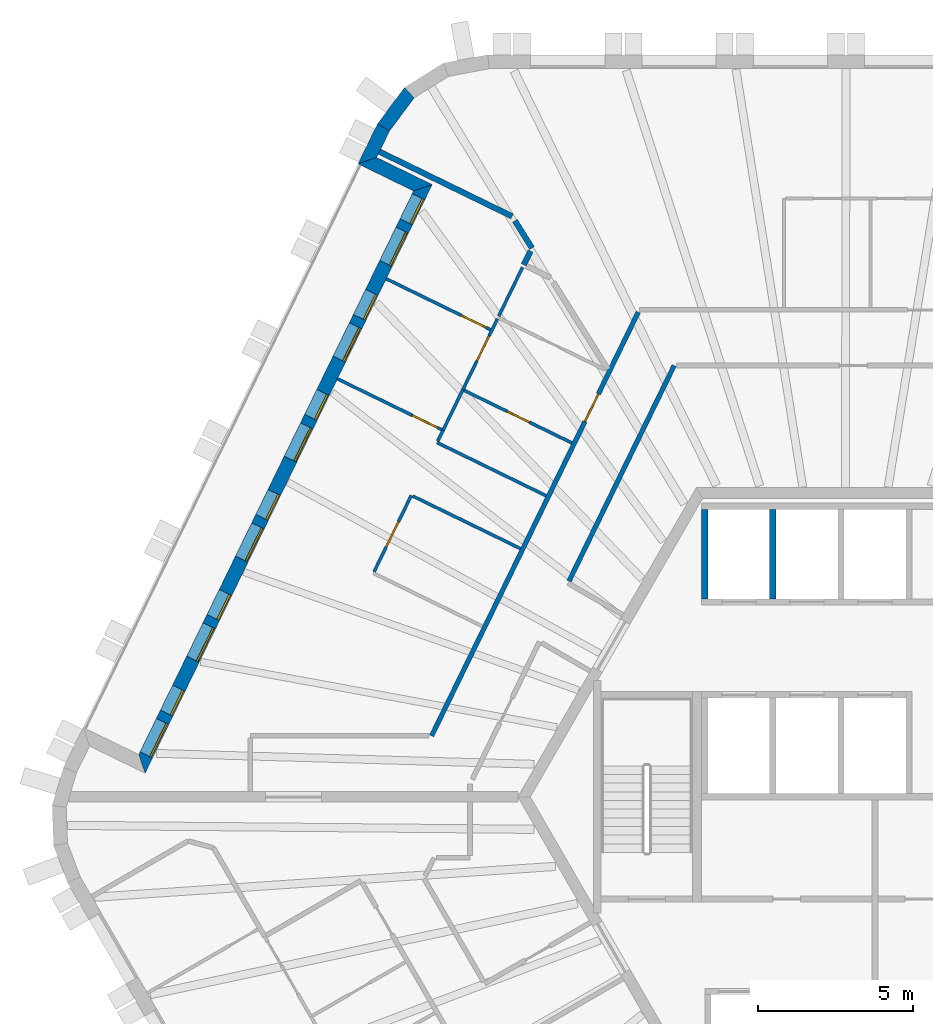
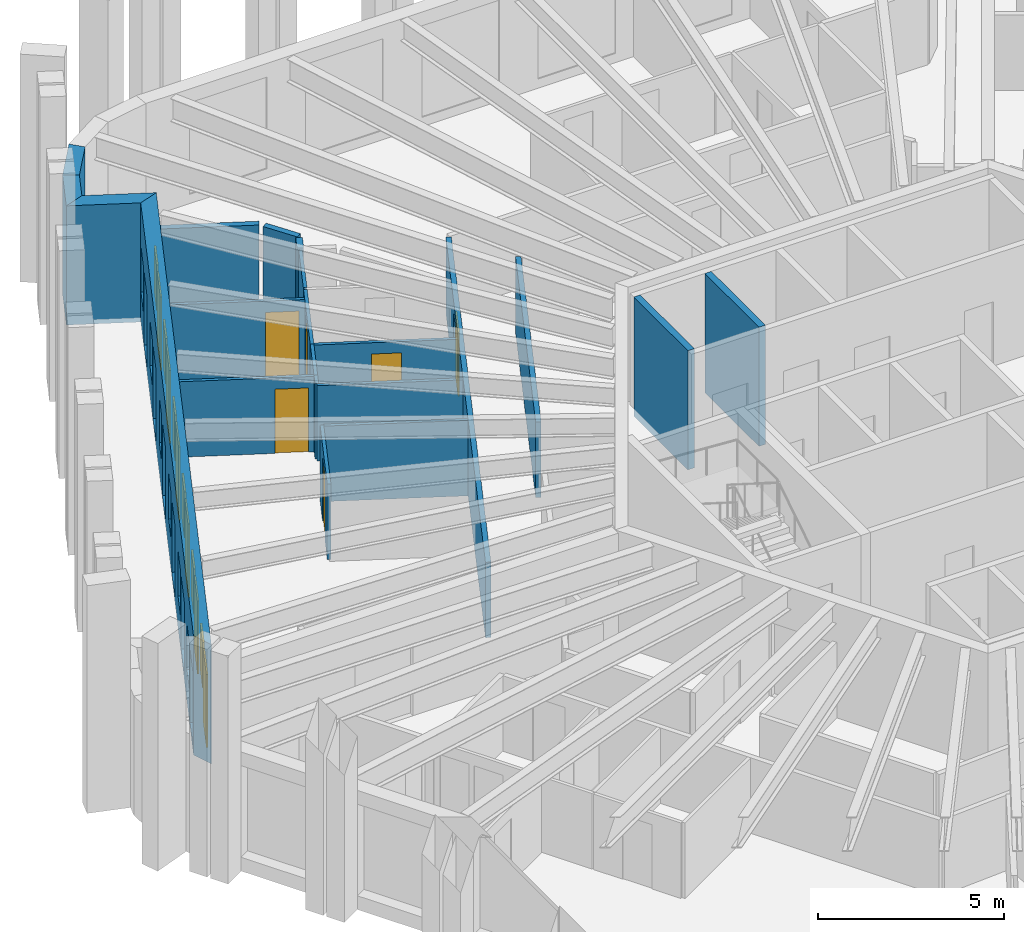
# One storey, part 8 of 12: 21 walls, 12 doors, 6 windows, 18 openings.
"""IFC4 building model written with IfcOpenShell, lengths in metres."""

from ifc_helpers import new_model, si_unit, direction, frame, frame_2d, origin, place, context, subcontext, project, spatial, polyline, rectangle, outline, extrude, material, layer, layer_set, type_object, element, fill, save


model = new_model("IFC4")

# Units and contexts
model_context = context("Model", 3, precision=1e-05, world=origin(), true_north=direction((0.0, 1.0)))
body_context = subcontext(model_context, "Body", "Model", "MODEL_VIEW")
ifc_project = project(units=[si_unit("LENGTHUNIT", "METRE"), si_unit("AREAUNIT", "SQUARE_METRE"), si_unit("VOLUMEUNIT", "CUBIC_METRE"), si_unit("PLANEANGLEUNIT", "RADIAN"), si_unit("MASSUNIT", "GRAM", prefix="KILO")], contexts=[model_context])

# Site, building, storey
site_placement = place(None, origin())
site = spatial("IfcSite", under=ifc_project, at=site_placement, CompositionType="ELEMENT")
building_placement = place(site_placement, origin())
building = spatial("IfcBuilding", under=site, at=building_placement, Name="Tarnside Tower", CompositionType="ELEMENT")
storey_placement = place(building_placement, frame((0.0, 0.0, 369.0)))
storey = spatial("IfcBuildingStorey", under=building, at=storey_placement, Name="L89", CompositionType="ELEMENT", Elevation=369.0)

# Walls
ifc_material_1 = material(Name="Gypsum board partition on steel studs", Category="steel")
ifc_layer_1 = layer(ifc_material_1, 0.10009765625)
ifc_layer_set_1 = layer_set([ifc_layer_1], Name="Bathroom wall 100")
wall_type_1 = type_object("IfcWallType", Name="Bathroom wall 100", PredefinedType="PARTITIONING", material=ifc_layer_set_1)
wall_1_placement = place(storey_placement, frame((-10.632080078125, 9.73828125, 0.0), z_axis=(0.0, 0.0, 1.0), x_axis=(-0.898787574002, 0.438384416717, 0.0)))
element("IfcWall", 1, at=wall_1_placement, inside=storey, type_object=wall_type_1, Name="Bathroom wall 29094", PredefinedType="PARTITIONING", context=body_context, shape_type="SweptSolid", body=[
    extrude(rectangle(XDim=3.925048828125, YDim=0.10009765625, at=frame_2d((1.96240234375, 0.0))), origin(), (0.0, 0.0, 1.0), 2.469970703125),
])
wall_2_placement = place(storey_placement, frame((-14.137939453125, 11.50390625, 0.0), z_axis=(0.0, 0.0, 1.0), x_axis=(0.438214838481, 0.898870266131, 0.0)))
element("IfcWall", 2, at=wall_2_placement, inside=storey, type_object=wall_type_1, Name="Bathroom wall 29095", PredefinedType="PARTITIONING", context=body_context, shape_type="SweptSolid", body=[
    extrude(rectangle(XDim=0.3916015625, YDim=0.10009765625, at=frame_2d((0.19580078125, 0.0))), origin(), (0.0, 0.0, 1.0), 2.469970703125),
])

# Wall, opening, door
wall_3_placement = place(storey_placement, frame((-13.326904296875, 13.16650390625, 0.0), z_axis=(0.0, 0.0, 1.0), x_axis=(0.898812080899, -0.438334168449, 0.0)))
wall_3 = element("IfcWall", 3, at=wall_3_placement, inside=storey, type_object=wall_type_1, Name="Bathroom wall 29100", PredefinedType="PARTITIONING", context=body_context, shape_type="SweptSolid", body=[
    extrude(rectangle(XDim=3.925048828125, YDim=0.10009765625, at=frame_2d((1.96240234375, 0.0))), origin(), (0.0, 0.0, 1.0), 2.469970703125),
])
opening_1_placement = place(wall_3_placement, frame((1.60009765625, 0.0, 0.0)))
opening_1 = element("IfcOpeningElement", 4, at=opening_1_placement, cuts=wall_3, Name="Opening D-B1", PredefinedType="OPENING", context=body_context, shape_type="SweptSolid", body=[
    extrude(rectangle(XDim=0.800048828125, YDim=2.10009765625, at=frame_2d((0.39990234375, 1.050048828125))), frame((0.0, 0.06005859375, 0.0), z_axis=(0.0, -1.0, 0.0), x_axis=(1.0, 0.0, 0.0)), (0.0, 0.0, 1.0), 0.1201171875),
])
ifc_material_2 = material(Name="Timber door leaf", Category="wood")
door_type_1 = type_object("IfcDoorType", Name="Bathroom door 800", OperationType="NOTDEFINED", PredefinedType="DOOR", material=ifc_material_2)
door_1_placement = place(opening_1_placement, origin())
door_1 = element("IfcDoor", 5, at=door_1_placement, inside=storey, type_object=door_type_1, Name="Bathroom door 29010", OperationType="SINGLE_SWING_LEFT", OverallHeight=2.10009765625, OverallWidth=0.800048828125, PredefinedType="DOOR", context=body_context, shape_type="SweptSolid", body=[
    extrude(rectangle(XDim=0.800048828125, YDim=2.10009765625, at=frame_2d((0.39990234375, 1.050048828125))), frame((0.0, 0.02490234375, 0.0), z_axis=(0.0, -1.0, 0.0), x_axis=(1.0, 0.0, 0.0)), (0.0, 0.0, 1.0), 0.050048828125),
])
fill(opening_1, door_1)

# Walls
wall_4_placement = place(storey_placement, frame((-13.325927734375, 13.16845703125, 0.0), z_axis=(0.0, 0.0, 1.0), x_axis=(-0.438377585285, -0.898790906006, 0.0)))
element("IfcWall", 6, at=wall_4_placement, inside=storey, type_object=wall_type_1, Name="Bathroom wall 29104", PredefinedType="PARTITIONING", context=body_context, shape_type="SweptSolid", body=[
    extrude(rectangle(XDim=1.46240234375, YDim=0.10009765625, at=frame_2d((0.731201171875, 0.0))), origin(), (0.0, 0.0, 1.0), 2.469970703125),
])
wall_5_placement = place(storey_placement, frame((-12.165283203125, 15.54833984375, 0.0), z_axis=(0.0, 0.0, 1.0), x_axis=(0.438426364669, 0.89876711264, 0.0)))
element("IfcWall", 7, at=wall_5_placement, inside=storey, type_object=wall_type_1, Name="Bathroom wall 29106", PredefinedType="PARTITIONING", context=body_context, shape_type="SweptSolid", body=[
    extrude(rectangle(XDim=1.76025390625, YDim=0.10009765625, at=frame_2d((0.880126953125, 0.0))), origin(), (0.0, 0.0, 1.0), 2.469970703125),
])

# Wall, opening, door
ifc_layer_2 = layer(ifc_material_1, 0.14990234375)
ifc_layer_set_2 = layer_set([ifc_layer_2], Name="Corridor wall 150 EI 60")
wall_type_2 = type_object("IfcWallType", Name="Corridor wall 150 EI 60", PredefinedType="PARTITIONING", material=ifc_layer_set_2)
wall_6_placement = place(storey_placement, frame((-7.653076171875, 15.675048828125, 0.0), z_axis=(0.0, 0.0, 1.0), x_axis=(-0.438369669055, -0.898794767037, 0.0)))
wall_6 = element("IfcWall", 8, at=wall_6_placement, inside=storey, type_object=wall_type_2, Name="Corridor wall 29002", PredefinedType="PARTITIONING", context=body_context, shape_type="SweptSolid", body=[
    extrude(rectangle(XDim=15.24267578125, YDim=0.14990234375, at=frame_2d((7.621337890625, 0.0))), origin(), (0.0, 0.0, 1.0), 2.469970703125),
])
opening_2_placement = place(wall_6_placement, frame((2.941650390625, 0.0, 0.0)))
opening_2 = element("IfcOpeningElement", 9, at=opening_2_placement, cuts=wall_6, Name="Opening D-E1", PredefinedType="OPENING", context=body_context, shape_type="SweptSolid", body=[
    extrude(rectangle(XDim=1.0, YDim=2.10009765625, at=frame_2d((0.5, 1.050048828125))), frame((0.0, 0.0849609375, 0.0), z_axis=(0.0, -1.0, 0.0), x_axis=(1.0, 0.0, 0.0)), (0.0, 0.0, 1.0), 0.169921875),
])
door_type_2 = type_object("IfcDoorType", Name="Unit entrance door 1000 FD30S", OperationType="NOTDEFINED", PredefinedType="DOOR", material=ifc_material_2)
door_2_placement = place(opening_2_placement, origin())
door_2 = element("IfcDoor", 10, at=door_2_placement, inside=storey, type_object=door_type_2, Name="Unit door 29009", OperationType="SINGLE_SWING_RIGHT", OverallHeight=2.10009765625, OverallWidth=1.0, PredefinedType="DOOR", context=body_context, shape_type="SweptSolid", body=[
    extrude(rectangle(XDim=1.0, YDim=2.10009765625, at=frame_2d((0.5, 1.050048828125))), frame((0.0, 0.02490234375, 0.0), z_axis=(0.0, -1.0, 0.0), x_axis=(1.0, 0.0, 0.0)), (0.0, 0.0, 1.0), 0.050048828125),
])
fill(opening_2, door_2)

# Walls
wall_7_placement = place(storey_placement, frame((-9.892578125, 6.977294921875, 0.0), z_axis=(0.0, 0.0, 1.0), x_axis=(0.438380229518, 0.898789616299, 0.0)))
element("IfcWall", 11, at=wall_7_placement, inside=storey, type_object=wall_type_2, Name="Corridor wall 29019", PredefinedType="PARTITIONING", context=body_context, shape_type="SweptSolid", body=[
    extrude(rectangle(XDim=7.7578125, YDim=0.14990234375, at=frame_2d((3.87890625, 0.0))), origin(), (0.0, 0.0, 1.0), 2.469970703125),
])
ifc_layer_3 = layer(ifc_material_1, 0.179931640625)
ifc_layer_set_3 = layer_set([ifc_layer_3], Name="Demising wall 180 EI 60")
wall_type_3 = type_object("IfcWallType", Name="Demising wall 180 EI 60", PredefinedType="PARTITIONING", material=ifc_layer_set_3)
wall_8_placement = place(storey_placement, frame((-16.02392578125, 20.867919921875, 0.0), z_axis=(0.0, 0.0, 1.0), x_axis=(0.898790554329, -0.438378306317, 0.0)))
element("IfcWall", 12, at=wall_8_placement, inside=storey, type_object=wall_type_3, Name="Demising wall 29084", PredefinedType="PARTITIONING", context=body_context, shape_type="SweptSolid", body=[
    extrude(rectangle(XDim=4.775634765625, YDim=0.179931640625, at=frame_2d((2.3876953125, 0.0))), origin(), (0.0, 0.0, 1.0), 2.469970703125),
])
wall_9_placement = place(storey_placement, frame((-11.6416015625, 18.63037109375, 0.0), z_axis=(0.0, 0.0, 1.0), x_axis=(0.530041214548, -0.847971880949, 0.0)))
element("IfcWall", 13, at=wall_9_placement, inside=storey, type_object=wall_type_3, Name="Demising wall 29085", PredefinedType="PARTITIONING", context=body_context, shape_type="SweptSolid", body=[
    extrude(rectangle(XDim=1.0380859375, YDim=0.179931640625, at=frame_2d((0.51904296875, 0.0))), origin(), (0.0, 0.0, 1.0), 2.469970703125),
])
wall_10_placement = place(storey_placement, frame((-11.137939453125, 17.654541015625, 0.0), z_axis=(0.0, 0.0, 1.0), x_axis=(-0.43834617456, -0.89880622564, 0.0)))
element("IfcWall", 14, at=wall_10_placement, inside=storey, type_object=wall_type_3, Name="Demising wall 29086", PredefinedType="PARTITIONING", context=body_context, shape_type="SweptSolid", body=[
    extrude(rectangle(XDim=0.496826171875, YDim=0.179931640625, at=frame_2d((0.24853515625, 0.0))), origin(), (0.0, 0.0, 1.0), 2.469970703125),
])
ifc_material_3 = material(Name="Concrete C40/50", Category="concrete")
ifc_layer_4 = layer(ifc_material_3, 0.199951171875)
ifc_layer_set_4 = layer_set([ifc_layer_4], Name="Lift shaft wall 200 C40/50")
wall_type_4 = type_object("IfcWallType", Name="Lift shaft wall 200 C40/50", PredefinedType="SHEAR", material=ifc_layer_set_4)
for number, where, z_axis, x_axis, name in (
    (15, (-5.5, 6.39990234375, -0.25), (0.0, 0.0, 1.0), (0.0, 1.0, 0.0), "L89 lift shaft partition R11"),
    (16, (-3.300048828125, 6.39990234375, -0.25), (0.0, 0.0, 1.0), (0.0, 1.0, 0.0), "L89 lift shaft partition R12"),
):
    element("IfcWall", number, at=place(storey_placement, frame(where, z_axis=z_axis, x_axis=x_axis)), inside=storey, type_object=wall_type_4, Name=name, PredefinedType="SHEAR", context=body_context, shape_type="SweptSolid", body=[
        extrude(rectangle(XDim=2.900146484375, YDim=0.199951171875, at=frame_2d((1.4501953125, 0.0))), origin(), (0.0, 0.0, 1.0), 3.89990234375),
    ])
ifc_material_4 = material(Name="Dark zinc cladding")
ifc_layer_5 = layer(ifc_material_4, 0.10205078125)
ifc_material_5 = material(Name="Concrete C60/75 precast", Category="concrete")
ifc_layer_6 = layer(ifc_material_5, 0.248046875)
ifc_material_6 = material(Name="Mineral wool insulation")
ifc_layer_7 = layer(ifc_material_6, 0.10009765625)
ifc_layer_set_5 = layer_set([ifc_layer_5, ifc_layer_6, ifc_layer_7], Name="Loggia wall 450 zinc faced")
wall_type_5 = type_object("IfcWallType", Name="Loggia wall 450 zinc faced", PredefinedType="SOLIDWALL", material=ifc_layer_set_5)
wall_11_placement = place(storey_placement, frame((-15.890380859375, 21.65478515625, -0.14990234375), z_axis=(0.0, 0.0, 1.0), x_axis=(-0.438319390103, -0.898819287877, 0.0)))
element("IfcWall", 17, at=wall_11_placement, inside=storey, type_object=wall_type_5, Name="Tube wall L89 F2 stub 04", PredefinedType="SOLIDWALL", context=body_context, shape_type="SweptSolid", body=[
    extrude(outline(polyline([(-0.02099609375, -0.22509765625), (1.4248046875, -0.22509765625), (0.974609375, 0.22509765625), (0.02099609375, 0.22509765625), (-0.02099609375, -0.22509765625)])), origin(), (0.0, 0.0, 1.0), 3.89990234375),
])
wall_12_placement = place(storey_placement, frame((-16.416259765625, 20.576416015625, -0.14990234375), z_axis=(0.0, 0.0, 1.0), x_axis=(0.898730898244, -0.438500595829, 0.0)))
element("IfcWall", 18, at=wall_12_placement, inside=storey, type_object=wall_type_5, Name="Tube wall L89 F2 return 05", PredefinedType="SOLIDWALL", context=body_context, shape_type="SweptSolid", body=[
    extrude(outline(polyline([(-0.224853515625, -0.22509765625), (1.77490234375, -0.22509765625), (2.22509765625, 0.22509765625), (0.224853515625, 0.22509765625), (-0.224853515625, -0.22509765625)])), origin(), (0.0, 0.0, 1.0), 3.89990234375),
])

# Wall, openings, doors, windows
wall_13_placement = place(storey_placement, frame((-14.618896484375, 19.699462890625, -0.14990234375), z_axis=(0.0, 0.0, 1.0), x_axis=(-0.438373747484, -0.898792777851, 0.0)))
wall_13 = element("IfcWall", 19, at=wall_13_placement, inside=storey, type_object=wall_type_5, Name="Tube wall L89 F2 back 06", PredefinedType="SOLIDWALL", context=body_context, shape_type="SweptSolid", body=[
    extrude(outline(polyline([(0.224853515625, -0.22509765625), (20.50634765625, -0.22509765625), (20.95654296875, 0.22509765625), (-0.224853515625, 0.22509765625), (0.224853515625, -0.22509765625)])), origin(), (0.0, 0.0, 1.0), 3.89990234375),
])
opening_3_placement = place(wall_13_placement, frame((0.324951171875, 0.0, 1.050048828125)))
opening_3 = element("IfcOpeningElement", 20, at=opening_3_placement, cuts=wall_13, Name="Opening WL450", PredefinedType="OPENING", context=body_context, shape_type="SweptSolid", body=[
    extrude(rectangle(XDim=0.89990234375, YDim=1.5, at=frame_2d((0.449951171875, 0.75))), frame((0.0, 0.23486328125, 0.0), z_axis=(0.0, -1.0, 0.0), x_axis=(1.0, 0.0, 0.0)), (0.0, 0.0, 1.0), 0.469970703125),
])
opening_4_placement = place(wall_13_placement, frame((1.52490234375, 0.0, 0.14990234375)))
opening_4 = element("IfcOpeningElement", 21, at=opening_4_placement, cuts=wall_13, Name="Opening DB450", PredefinedType="OPENING", context=body_context, shape_type="SweptSolid", body=[
    extrude(rectangle(XDim=1.199951171875, YDim=2.39990234375, at=frame_2d((0.60009765625, 1.199951171875))), frame((0.0, 0.23486328125, 0.0), z_axis=(0.0, -1.0, 0.0), x_axis=(1.0, 0.0, 0.0)), (0.0, 0.0, 1.0), 0.469970703125),
])
opening_5_placement = place(wall_13_placement, frame((3.765869140625, 0.0, 1.050048828125)))
opening_5 = element("IfcOpeningElement", 22, at=opening_5_placement, cuts=wall_13, Name="Opening WL450", PredefinedType="OPENING", context=body_context, shape_type="SweptSolid", body=[
    extrude(rectangle(XDim=0.89990234375, YDim=1.5, at=frame_2d((0.449951171875, 0.75))), frame((0.0, 0.23486328125, 0.0), z_axis=(0.0, -1.0, 0.0), x_axis=(1.0, 0.0, 0.0)), (0.0, 0.0, 1.0), 0.469970703125),
])
opening_6_placement = place(wall_13_placement, frame((4.9658203125, 0.0, 0.14990234375)))
opening_6 = element("IfcOpeningElement", 23, at=opening_6_placement, cuts=wall_13, Name="Opening DB450", PredefinedType="OPENING", context=body_context, shape_type="SweptSolid", body=[
    extrude(rectangle(XDim=1.199951171875, YDim=2.39990234375, at=frame_2d((0.60009765625, 1.199951171875))), frame((0.0, 0.23486328125, 0.0), z_axis=(0.0, -1.0, 0.0), x_axis=(1.0, 0.0, 0.0)), (0.0, 0.0, 1.0), 0.469970703125),
])
opening_7_placement = place(wall_13_placement, frame((7.36572265625, 0.0, 1.050048828125)))
opening_7 = element("IfcOpeningElement", 24, at=opening_7_placement, cuts=wall_13, Name="Opening WL450", PredefinedType="OPENING", context=body_context, shape_type="SweptSolid", body=[
    extrude(rectangle(XDim=0.89990234375, YDim=1.5, at=frame_2d((0.449951171875, 0.75))), frame((0.0, 0.23486328125, 0.0), z_axis=(0.0, -1.0, 0.0), x_axis=(1.0, 0.0, 0.0)), (0.0, 0.0, 1.0), 0.469970703125),
])
opening_8_placement = place(wall_13_placement, frame((8.56591796875, 0.0, 0.14990234375)))
opening_8 = element("IfcOpeningElement", 25, at=opening_8_placement, cuts=wall_13, Name="Opening DB450", PredefinedType="OPENING", context=body_context, shape_type="SweptSolid", body=[
    extrude(rectangle(XDim=1.199951171875, YDim=2.39990234375, at=frame_2d((0.60009765625, 1.199951171875))), frame((0.0, 0.23486328125, 0.0), z_axis=(0.0, -1.0, 0.0), x_axis=(1.0, 0.0, 0.0)), (0.0, 0.0, 1.0), 0.469970703125),
])
opening_9_placement = place(wall_13_placement, frame((10.9658203125, 0.0, 1.050048828125)))
opening_9 = element("IfcOpeningElement", 26, at=opening_9_placement, cuts=wall_13, Name="Opening WL450", PredefinedType="OPENING", context=body_context, shape_type="SweptSolid", body=[
    extrude(rectangle(XDim=0.89990234375, YDim=1.5, at=frame_2d((0.449951171875, 0.75))), frame((0.0, 0.23486328125, 0.0), z_axis=(0.0, -1.0, 0.0), x_axis=(1.0, 0.0, 0.0)), (0.0, 0.0, 1.0), 0.469970703125),
])
opening_10_placement = place(wall_13_placement, frame((12.165771484375, 0.0, 0.14990234375)))
opening_10 = element("IfcOpeningElement", 27, at=opening_10_placement, cuts=wall_13, Name="Opening DB450", PredefinedType="OPENING", context=body_context, shape_type="SweptSolid", body=[
    extrude(rectangle(XDim=1.199951171875, YDim=2.39990234375, at=frame_2d((0.60009765625, 1.199951171875))), frame((0.0, 0.23486328125, 0.0), z_axis=(0.0, -1.0, 0.0), x_axis=(1.0, 0.0, 0.0)), (0.0, 0.0, 1.0), 0.469970703125),
])
opening_11_placement = place(wall_13_placement, frame((14.56591796875, 0.0, 1.050048828125)))
opening_11 = element("IfcOpeningElement", 28, at=opening_11_placement, cuts=wall_13, Name="Opening WL450", PredefinedType="OPENING", context=body_context, shape_type="SweptSolid", body=[
    extrude(rectangle(XDim=0.89990234375, YDim=1.5, at=frame_2d((0.449951171875, 0.75))), frame((0.0, 0.23486328125, 0.0), z_axis=(0.0, -1.0, 0.0), x_axis=(1.0, 0.0, 0.0)), (0.0, 0.0, 1.0), 0.469970703125),
])
opening_12_placement = place(wall_13_placement, frame((15.765869140625, 0.0, 0.14990234375)))
opening_12 = element("IfcOpeningElement", 29, at=opening_12_placement, cuts=wall_13, Name="Opening DB450", PredefinedType="OPENING", context=body_context, shape_type="SweptSolid", body=[
    extrude(rectangle(XDim=1.199951171875, YDim=2.39990234375, at=frame_2d((0.60009765625, 1.199951171875))), frame((0.0, 0.23486328125, 0.0), z_axis=(0.0, -1.0, 0.0), x_axis=(1.0, 0.0, 0.0)), (0.0, 0.0, 1.0), 0.469970703125),
])
opening_13_placement = place(wall_13_placement, frame((18.006591796875, 0.0, 1.050048828125)))
opening_13 = element("IfcOpeningElement", 30, at=opening_13_placement, cuts=wall_13, Name="Opening WL450", PredefinedType="OPENING", context=body_context, shape_type="SweptSolid", body=[
    extrude(rectangle(XDim=0.89990234375, YDim=1.5, at=frame_2d((0.449951171875, 0.75))), frame((0.0, 0.23486328125, 0.0), z_axis=(0.0, -1.0, 0.0), x_axis=(1.0, 0.0, 0.0)), (0.0, 0.0, 1.0), 0.469970703125),
])
opening_14_placement = place(wall_13_placement, frame((19.20654296875, 0.0, 0.14990234375)))
opening_14 = element("IfcOpeningElement", 31, at=opening_14_placement, cuts=wall_13, Name="Opening DB450", PredefinedType="OPENING", context=body_context, shape_type="SweptSolid", body=[
    extrude(rectangle(XDim=1.199951171875, YDim=2.39990234375, at=frame_2d((0.60009765625, 1.199951171875))), frame((0.0, 0.23486328125, 0.0), z_axis=(0.0, -1.0, 0.0), x_axis=(1.0, 0.0, 0.0)), (0.0, 0.0, 1.0), 0.469970703125),
])
ifc_material_7 = material(Name="Aluminium-framed double glazing", Category="aluminium")
door_type_3 = type_object("IfcDoorType", Name="Balcony sliding door 1200 x 2400 in 450 wall", OperationType="SLIDING_TO_LEFT", PredefinedType="DOOR", material=ifc_material_7)
door_3_placement = place(opening_4_placement, frame((0.0, 0.150146484375, 0.0)))
door_3 = element("IfcDoor", 32, at=door_3_placement, inside=storey, type_object=door_type_3, Name="E.BD.L89.F2.00", OperationType="SLIDING_TO_LEFT", OverallHeight=2.39990234375, OverallWidth=1.199951171875, PredefinedType="DOOR", context=body_context, shape_type="SweptSolid", body=[
    extrude(rectangle(XDim=1.199951171875, YDim=2.39990234375, at=frame_2d((0.60009765625, 1.199951171875))), frame((0.0, 0.02490234375, 0.0), z_axis=(0.0, -1.0, 0.0), x_axis=(1.0, 0.0, 0.0)), (0.0, 0.0, 1.0), 0.050048828125),
])
fill(opening_4, door_3)
door_4_placement = place(opening_6_placement, frame((0.0, 0.150146484375, 0.0)))
door_4 = element("IfcDoor", 33, at=door_4_placement, inside=storey, type_object=door_type_3, Name="E.BD.L89.F2.01", OperationType="SLIDING_TO_LEFT", OverallHeight=2.39990234375, OverallWidth=1.199951171875, PredefinedType="DOOR", context=body_context, shape_type="SweptSolid", body=[
    extrude(rectangle(XDim=1.199951171875, YDim=2.39990234375, at=frame_2d((0.60009765625, 1.199951171875))), frame((0.0, 0.02490234375, 0.0), z_axis=(0.0, -1.0, 0.0), x_axis=(1.0, 0.0, 0.0)), (0.0, 0.0, 1.0), 0.050048828125),
])
fill(opening_6, door_4)
door_5_placement = place(opening_8_placement, frame((0.0, 0.150146484375, 0.0)))
door_5 = element("IfcDoor", 34, at=door_5_placement, inside=storey, type_object=door_type_3, Name="E.BD.L89.F2.02", OperationType="SLIDING_TO_LEFT", OverallHeight=2.39990234375, OverallWidth=1.199951171875, PredefinedType="DOOR", context=body_context, shape_type="SweptSolid", body=[
    extrude(rectangle(XDim=1.199951171875, YDim=2.39990234375, at=frame_2d((0.60009765625, 1.199951171875))), frame((0.0, 0.02490234375, 0.0), z_axis=(0.0, -1.0, 0.0), x_axis=(1.0, 0.0, 0.0)), (0.0, 0.0, 1.0), 0.050048828125),
])
fill(opening_8, door_5)
door_6_placement = place(opening_10_placement, frame((0.0, 0.150146484375, 0.0)))
door_6 = element("IfcDoor", 35, at=door_6_placement, inside=storey, type_object=door_type_3, Name="E.BD.L89.F2.03", OperationType="SLIDING_TO_LEFT", OverallHeight=2.39990234375, OverallWidth=1.199951171875, PredefinedType="DOOR", context=body_context, shape_type="SweptSolid", body=[
    extrude(rectangle(XDim=1.199951171875, YDim=2.39990234375, at=frame_2d((0.60009765625, 1.199951171875))), frame((0.0, 0.02490234375, 0.0), z_axis=(0.0, -1.0, 0.0), x_axis=(1.0, 0.0, 0.0)), (0.0, 0.0, 1.0), 0.050048828125),
])
fill(opening_10, door_6)
door_7_placement = place(opening_12_placement, frame((0.0, 0.150146484375, 0.0)))
door_7 = element("IfcDoor", 36, at=door_7_placement, inside=storey, type_object=door_type_3, Name="E.BD.L89.F2.04", OperationType="SLIDING_TO_LEFT", OverallHeight=2.39990234375, OverallWidth=1.199951171875, PredefinedType="DOOR", context=body_context, shape_type="SweptSolid", body=[
    extrude(rectangle(XDim=1.199951171875, YDim=2.39990234375, at=frame_2d((0.60009765625, 1.199951171875))), frame((0.0, 0.02490234375, 0.0), z_axis=(0.0, -1.0, 0.0), x_axis=(1.0, 0.0, 0.0)), (0.0, 0.0, 1.0), 0.050048828125),
])
fill(opening_12, door_7)
door_8_placement = place(opening_14_placement, frame((0.0, 0.150146484375, 0.0)))
door_8 = element("IfcDoor", 37, at=door_8_placement, inside=storey, type_object=door_type_3, Name="E.BD.L89.F2.05", OperationType="SLIDING_TO_LEFT", OverallHeight=2.39990234375, OverallWidth=1.199951171875, PredefinedType="DOOR", context=body_context, shape_type="SweptSolid", body=[
    extrude(rectangle(XDim=1.199951171875, YDim=2.39990234375, at=frame_2d((0.60009765625, 1.199951171875))), frame((0.0, 0.02490234375, 0.0), z_axis=(0.0, -1.0, 0.0), x_axis=(1.0, 0.0, 0.0)), (0.0, 0.0, 1.0), 0.050048828125),
])
fill(opening_14, door_8)
window_type = type_object("IfcWindowType", Name="Loggia window 900 x 1500 in 450 wall", PartitioningType="SINGLE_PANEL", PredefinedType="WINDOW", material=ifc_material_7)
window_1_placement = place(opening_3_placement, frame((0.0, 0.1552734375, 0.0)))
window_1 = element("IfcWindow", 38, at=window_1_placement, inside=storey, type_object=window_type, Name="E.LW.L89.F2.00", OverallHeight=1.5, OverallWidth=0.89990234375, PartitioningType="SINGLE_PANEL", PredefinedType="WINDOW", context=body_context, shape_type="SweptSolid", body=[
    extrude(rectangle(XDim=0.89990234375, YDim=1.5, at=frame_2d((0.449951171875, 0.75))), frame((0.0, 0.030029296875, 0.0), z_axis=(0.0, -1.0, 0.0), x_axis=(1.0, 0.0, 0.0)), (0.0, 0.0, 1.0), 0.06005859375),
])
fill(opening_3, window_1)
window_2_placement = place(opening_5_placement, frame((0.0, 0.1552734375, 0.0)))
window_2 = element("IfcWindow", 39, at=window_2_placement, inside=storey, type_object=window_type, Name="E.LW.L89.F2.01", OverallHeight=1.5, OverallWidth=0.89990234375, PartitioningType="SINGLE_PANEL", PredefinedType="WINDOW", context=body_context, shape_type="SweptSolid", body=[
    extrude(rectangle(XDim=0.89990234375, YDim=1.5, at=frame_2d((0.449951171875, 0.75))), frame((0.0, 0.030029296875, 0.0), z_axis=(0.0, -1.0, 0.0), x_axis=(1.0, 0.0, 0.0)), (0.0, 0.0, 1.0), 0.06005859375),
])
fill(opening_5, window_2)
window_3_placement = place(opening_7_placement, frame((0.0, 0.1552734375, 0.0)))
window_3 = element("IfcWindow", 40, at=window_3_placement, inside=storey, type_object=window_type, Name="E.LW.L89.F2.02", OverallHeight=1.5, OverallWidth=0.89990234375, PartitioningType="SINGLE_PANEL", PredefinedType="WINDOW", context=body_context, shape_type="SweptSolid", body=[
    extrude(rectangle(XDim=0.89990234375, YDim=1.5, at=frame_2d((0.449951171875, 0.75))), frame((0.0, 0.030029296875, 0.0), z_axis=(0.0, -1.0, 0.0), x_axis=(1.0, 0.0, 0.0)), (0.0, 0.0, 1.0), 0.06005859375),
])
fill(opening_7, window_3)
window_4_placement = place(opening_9_placement, frame((0.0, 0.1552734375, 0.0)))
window_4 = element("IfcWindow", 41, at=window_4_placement, inside=storey, type_object=window_type, Name="E.LW.L89.F2.03", OverallHeight=1.5, OverallWidth=0.89990234375, PartitioningType="SINGLE_PANEL", PredefinedType="WINDOW", context=body_context, shape_type="SweptSolid", body=[
    extrude(rectangle(XDim=0.89990234375, YDim=1.5, at=frame_2d((0.449951171875, 0.75))), frame((0.0, 0.030029296875, 0.0), z_axis=(0.0, -1.0, 0.0), x_axis=(1.0, 0.0, 0.0)), (0.0, 0.0, 1.0), 0.06005859375),
])
fill(opening_9, window_4)
window_5_placement = place(opening_11_placement, frame((0.0, 0.1552734375, 0.0)))
window_5 = element("IfcWindow", 42, at=window_5_placement, inside=storey, type_object=window_type, Name="E.LW.L89.F2.04", OverallHeight=1.5, OverallWidth=0.89990234375, PartitioningType="SINGLE_PANEL", PredefinedType="WINDOW", context=body_context, shape_type="SweptSolid", body=[
    extrude(rectangle(XDim=0.89990234375, YDim=1.5, at=frame_2d((0.449951171875, 0.75))), frame((0.0, 0.030029296875, 0.0), z_axis=(0.0, -1.0, 0.0), x_axis=(1.0, 0.0, 0.0)), (0.0, 0.0, 1.0), 0.06005859375),
])
fill(opening_11, window_5)
window_6_placement = place(opening_13_placement, frame((0.0, 0.1552734375, 0.0)))
window_6 = element("IfcWindow", 43, at=window_6_placement, inside=storey, type_object=window_type, Name="E.LW.L89.F2.05", OverallHeight=1.5, OverallWidth=0.89990234375, PartitioningType="SINGLE_PANEL", PredefinedType="WINDOW", context=body_context, shape_type="SweptSolid", body=[
    extrude(rectangle(XDim=0.89990234375, YDim=1.5, at=frame_2d((0.449951171875, 0.75))), frame((0.0, 0.030029296875, 0.0), z_axis=(0.0, -1.0, 0.0), x_axis=(1.0, 0.0, 0.0)), (0.0, 0.0, 1.0), 0.06005859375),
])
fill(opening_13, window_6)

# Wall, opening, door
ifc_layer_8 = layer(ifc_material_1, 0.10009765625)
ifc_layer_set_6 = layer_set([ifc_layer_8], Name="Partition 100")
wall_type_6 = type_object("IfcWallType", Name="Partition 100", PredefinedType="PARTITIONING", material=ifc_layer_set_6)
wall_14_placement = place(storey_placement, frame((-14.011962890625, 11.8759765625, 0.0), z_axis=(0.0, 0.0, 1.0), x_axis=(-0.898810362659, 0.438337691713, 0.0)))
wall_14 = element("IfcWall", 44, at=wall_14_placement, inside=storey, type_object=wall_type_6, Name="Partition wall 29096", PredefinedType="PARTITIONING", context=body_context, shape_type="SweptSolid", body=[
    extrude(rectangle(XDim=3.75, YDim=0.10009765625, at=frame_2d((1.875, 0.0))), origin(), (0.0, 0.0, 1.0), 2.469970703125),
])
opening_15_placement = place(wall_14_placement, frame((0.14990234375, 0.0, 0.0)))
opening_15 = element("IfcOpeningElement", 45, at=opening_15_placement, cuts=wall_14, Name="Opening D-I1", PredefinedType="OPENING", context=body_context, shape_type="SweptSolid", body=[
    extrude(rectangle(XDim=0.89990234375, YDim=2.10009765625, at=frame_2d((0.449951171875, 1.050048828125))), frame((0.0, 0.06005859375, 0.0), z_axis=(0.0, -1.0, 0.0), x_axis=(1.0, 0.0, 0.0)), (0.0, 0.0, 1.0), 0.1201171875),
])
door_type_4 = type_object("IfcDoorType", Name="Internal door 900", OperationType="NOTDEFINED", PredefinedType="DOOR", material=ifc_material_2)
door_9_placement = place(opening_15_placement, origin())
door_9 = element("IfcDoor", 46, at=door_9_placement, inside=storey, type_object=door_type_4, Name="Internal door 29018", OperationType="SINGLE_SWING_RIGHT", OverallHeight=2.10009765625, OverallWidth=0.89990234375, PredefinedType="DOOR", context=body_context, shape_type="SweptSolid", body=[
    extrude(rectangle(XDim=0.89990234375, YDim=2.10009765625, at=frame_2d((0.449951171875, 1.050048828125))), frame((0.0, 0.02490234375, 0.0), z_axis=(0.0, -1.0, 0.0), x_axis=(1.0, 0.0, 0.0)), (0.0, 0.0, 1.0), 0.050048828125),
])
fill(opening_15, door_9)

wall_15_placement = place(storey_placement, frame((-16.1982421875, 7.279541015625, 0.0), z_axis=(0.0, 0.0, 1.0), x_axis=(0.438385151252, 0.898787215731, 0.0)))
wall_15 = element("IfcWall", 47, at=wall_15_placement, inside=storey, type_object=wall_type_6, Name="Partition wall 29098", PredefinedType="PARTITIONING", context=body_context, shape_type="SweptSolid", body=[
    extrude(rectangle(XDim=2.75, YDim=0.10009765625, at=frame_2d((1.375, 0.0))), origin(), (0.0, 0.0, 1.0), 2.469970703125),
])
opening_16_placement = place(wall_15_placement, frame((0.89990234375, 0.0, 0.0)))
opening_16 = element("IfcOpeningElement", 48, at=opening_16_placement, cuts=wall_15, Name="Opening D-I1", PredefinedType="OPENING", context=body_context, shape_type="SweptSolid", body=[
    extrude(rectangle(XDim=0.89990234375, YDim=2.10009765625, at=frame_2d((0.449951171875, 1.050048828125))), frame((0.0, 0.06005859375, 0.0), z_axis=(0.0, -1.0, 0.0), x_axis=(1.0, 0.0, 0.0)), (0.0, 0.0, 1.0), 0.1201171875),
])
door_10_placement = place(opening_16_placement, origin())
door_10 = element("IfcDoor", 49, at=door_10_placement, inside=storey, type_object=door_type_4, Name="Internal door 29020", OperationType="SINGLE_SWING_LEFT", OverallHeight=2.10009765625, OverallWidth=0.89990234375, PredefinedType="DOOR", context=body_context, shape_type="SweptSolid", body=[
    extrude(rectangle(XDim=0.89990234375, YDim=2.10009765625, at=frame_2d((0.449951171875, 1.050048828125))), frame((0.0, 0.02490234375, 0.0), z_axis=(0.0, -1.0, 0.0), x_axis=(1.0, 0.0, 0.0)), (0.0, 0.0, 1.0), 0.050048828125),
])
fill(opening_16, door_10)

# Wall
wall_16_placement = place(storey_placement, frame((-14.94775390625, 9.729248046875, 0.0), z_axis=(0.0, 0.0, 1.0), x_axis=(0.898793875229, -0.438371497535, 0.0)))
element("IfcWall", 50, at=wall_16_placement, inside=storey, type_object=wall_type_6, Name="Partition wall 29099", PredefinedType="PARTITIONING", context=body_context, shape_type="SweptSolid", body=[
    extrude(rectangle(XDim=3.875, YDim=0.10009765625, at=frame_2d((1.9375, 0.0))), origin(), (0.0, 0.0, 1.0), 2.469970703125),
])

# Wall, opening, door
wall_17_placement = place(storey_placement, frame((-12.208251953125, 15.46044921875, 0.0), z_axis=(0.0, 0.0, 1.0), x_axis=(-0.438359600369, -0.898799677773, 0.0)))
wall_17 = element("IfcWall", 51, at=wall_17_placement, inside=storey, type_object=wall_type_6, Name="Partition wall 29101", PredefinedType="PARTITIONING", context=body_context, shape_type="SweptSolid", body=[
    extrude(rectangle(XDim=2.55419921875, YDim=0.10009765625, at=frame_2d((1.277099609375, 0.0))), origin(), (0.0, 0.0, 1.0), 2.469970703125),
])
opening_17_placement = place(wall_17_placement, frame((0.6123046875, 0.0, 0.0)))
opening_17 = element("IfcOpeningElement", 52, at=opening_17_placement, cuts=wall_17, Name="Opening D-I1", PredefinedType="OPENING", context=body_context, shape_type="SweptSolid", body=[
    extrude(rectangle(XDim=0.89990234375, YDim=2.10009765625, at=frame_2d((0.449951171875, 1.050048828125))), frame((0.0, 0.06005859375, 0.0), z_axis=(0.0, -1.0, 0.0), x_axis=(1.0, 0.0, 0.0)), (0.0, 0.0, 1.0), 0.1201171875),
])
door_11_placement = place(opening_17_placement, origin())
door_11 = element("IfcDoor", 53, at=door_11_placement, inside=storey, type_object=door_type_4, Name="Internal door 29013", OperationType="SINGLE_SWING_LEFT", OverallHeight=2.10009765625, OverallWidth=0.89990234375, PredefinedType="DOOR", context=body_context, shape_type="SweptSolid", body=[
    extrude(rectangle(XDim=0.89990234375, YDim=2.10009765625, at=frame_2d((0.449951171875, 1.050048828125))), frame((0.0, 0.02490234375, 0.0), z_axis=(0.0, -1.0, 0.0), x_axis=(1.0, 0.0, 0.0)), (0.0, 0.0, 1.0), 0.050048828125),
])
fill(opening_17, door_11)

wall_18_placement = place(storey_placement, frame((-15.804443359375, 16.755615234375, 0.0), z_axis=(0.0, 0.0, 1.0), x_axis=(0.89878471246, -0.438390283479, 0.0)))
wall_18 = element("IfcWall", 54, at=wall_18_placement, inside=storey, type_object=wall_type_6, Name="Partition wall 29105", PredefinedType="PARTITIONING", context=body_context, shape_type="SweptSolid", body=[
    extrude(rectangle(XDim=3.750244140625, YDim=0.10009765625, at=frame_2d((1.875, 0.0))), origin(), (0.0, 0.0, 1.0), 2.469970703125),
])
opening_18_placement = place(wall_18_placement, frame((2.699951171875, 0.0, 0.0)))
opening_18 = element("IfcOpeningElement", 55, at=opening_18_placement, cuts=wall_18, Name="Opening D-I1", PredefinedType="OPENING", context=body_context, shape_type="SweptSolid", body=[
    extrude(rectangle(XDim=0.89990234375, YDim=2.10009765625, at=frame_2d((0.449951171875, 1.050048828125))), frame((0.0, 0.06005859375, 0.0), z_axis=(0.0, -1.0, 0.0), x_axis=(1.0, 0.0, 0.0)), (0.0, 0.0, 1.0), 0.1201171875),
])
door_12_placement = place(opening_18_placement, origin())
door_12 = element("IfcDoor", 56, at=door_12_placement, inside=storey, type_object=door_type_4, Name="Internal door 29016", OperationType="SINGLE_SWING_RIGHT", OverallHeight=2.10009765625, OverallWidth=0.89990234375, PredefinedType="DOOR", context=body_context, shape_type="SweptSolid", body=[
    extrude(rectangle(XDim=0.89990234375, YDim=2.10009765625, at=frame_2d((0.449951171875, 1.050048828125))), frame((0.0, 0.02490234375, 0.0), z_axis=(0.0, -1.0, 0.0), x_axis=(1.0, 0.0, 0.0)), (0.0, 0.0, 1.0), 0.050048828125),
])
fill(opening_18, door_12)

# Wall
ifc_material_8 = material(Name="Facing brick", Category="masonry")
ifc_layer_9 = layer(ifc_material_8, 0.10205078125)
ifc_layer_10 = layer(ifc_material_5, 0.248046875)
ifc_layer_11 = layer(ifc_material_6, 0.10009765625)
ifc_layer_set_7 = layer_set([ifc_layer_9, ifc_layer_10, ifc_layer_11], Name="Tube wall 450 brick faced")
wall_type_7 = type_object("IfcWallType", Name="Tube wall 450 brick faced", PredefinedType="SOLIDWALL", material=ifc_layer_set_7)
wall_19_placement = place(storey_placement, frame((-15.055908203125, 22.77587890625, -0.14990234375), z_axis=(0.0, 0.0, 1.0), x_axis=(-0.597089203515, -0.802174845682, 0.0)))
element("IfcWall", 57, at=wall_19_placement, inside=storey, type_object=wall_type_7, Name="Tube wall L89 F1 chord 03", PredefinedType="SOLIDWALL", context=body_context, shape_type="SweptSolid", body=[
    extrude(outline(polyline([(-0.04248046875, -0.22509765625), (1.41845703125, -0.22509765625), (1.37646484375, 0.22509765625), (0.04248046875, 0.22509765625), (-0.04248046875, -0.22509765625)])), origin(), (0.0, 0.0, 1.0), 3.89990234375),
])

save(model, "model.ifc")
